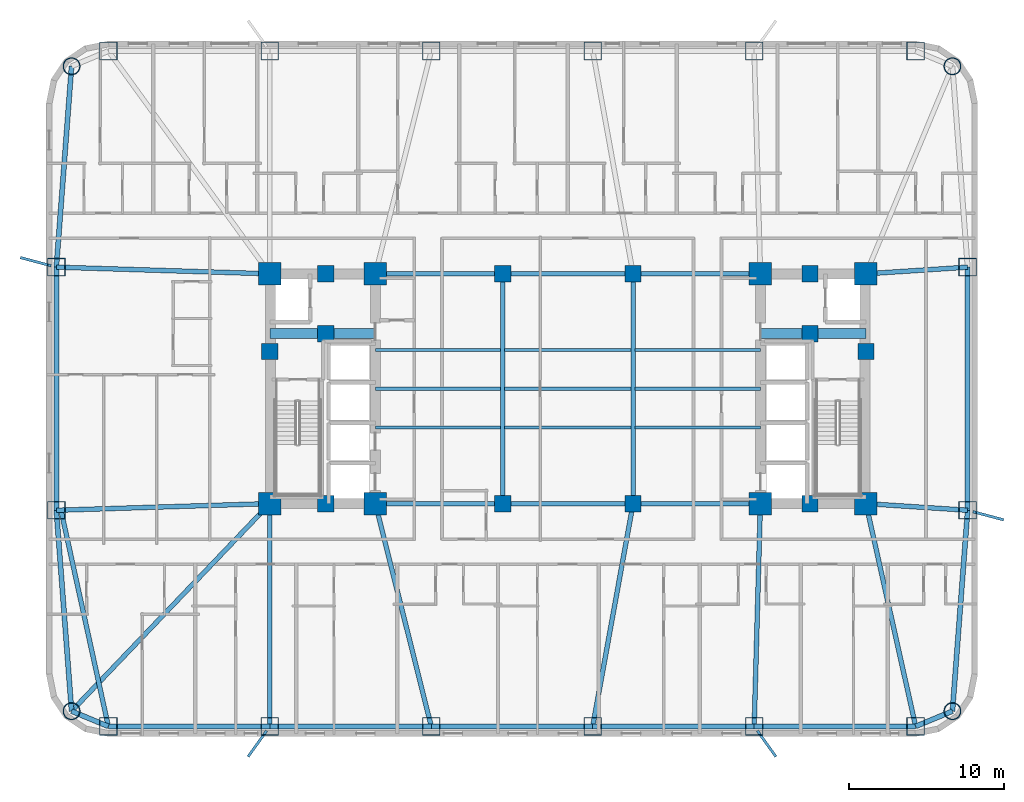
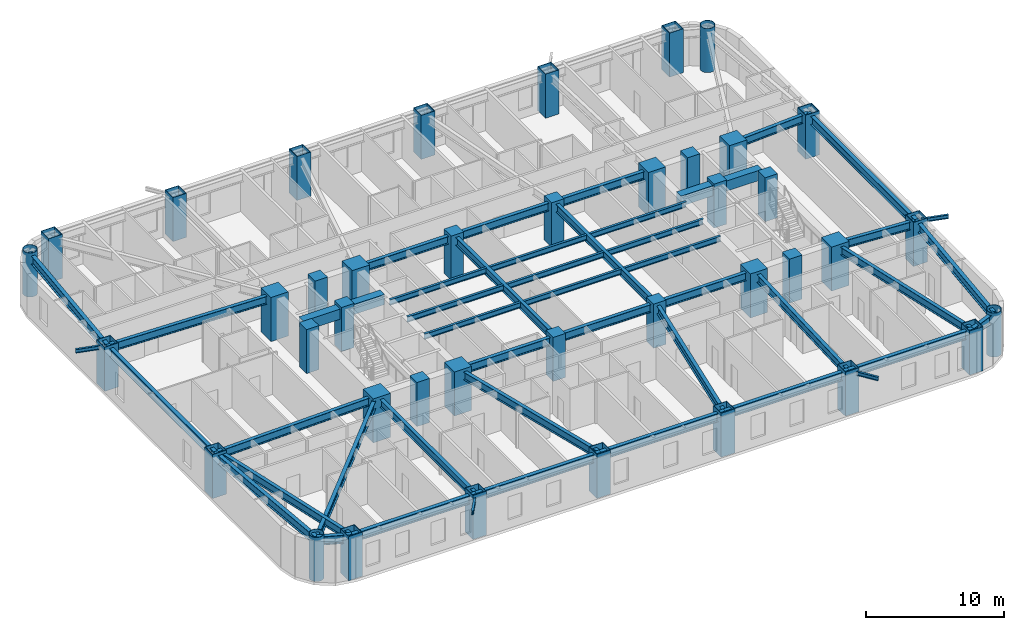
# One storey, part 1 of 11: 46 beams, 40 columns.
"""IFC4 building model written with IfcOpenShell, lengths in metres."""

from ifc_helpers import new_model, si_unit, direction, frame, origin, origin_2d, place, context, subcontext, project, spatial, rectangle, hollow_rectangle, hollow_circle, i_section, extrude, material, material_profile, profile_set, type_object, element, save


model = new_model("IFC4")

# Units and contexts
model_context = context("Model", 3, precision=1e-05, world=origin(), true_north=direction((0.0, 1.0)))
body_context = subcontext(model_context, "Body", "Model", "MODEL_VIEW")
ifc_project = project(units=[si_unit("LENGTHUNIT", "METRE"), si_unit("AREAUNIT", "SQUARE_METRE"), si_unit("VOLUMEUNIT", "CUBIC_METRE"), si_unit("PLANEANGLEUNIT", "RADIAN"), si_unit("MASSUNIT", "GRAM", prefix="KILO")], contexts=[model_context])

# Site, building, storey
site_placement = place(None, origin())
site = spatial("IfcSite", under=ifc_project, at=site_placement, CompositionType="ELEMENT")
building_placement = place(site_placement, origin())
building = spatial("IfcBuilding", under=site, at=building_placement, Name="Voryun Gate Residences", CompositionType="ELEMENT")
storey_placement = place(building_placement, frame((0.0, 0.0, 49.39990234375)))
storey = spatial("IfcBuildingStorey", under=building, at=storey_placement, Name="L11", CompositionType="ELEMENT", Elevation=49.39990234375)

# Columns
ifc_material_1 = material(Name="Concrete C50/60", Category="concrete")
ifc_material_profile_1 = material_profile(ifc_material_1, rectangle(XDim=1.050048828125, YDim=1.050048828125, at=origin_2d()), Name="RC-1050x1050")
ifc_profile_set_1 = profile_set([ifc_material_profile_1], Name="Concrete C50/60")
column_type_1 = type_object("IfcColumnType", Name="COL_CORE_1050", PredefinedType="COLUMN", material=ifc_profile_set_1)
for number, where, z_axis, x_axis, name in (
    (1, (-19.199951171875, 2.39990234375, 0.0), (0.0, 0.0, 1.0), (1.0, 0.0, 0.0), "L11 Core boundary column WC-MW"),
    (2, (-15.60009765625, -7.39990234375, 0.0), (0.0, 0.0, 1.0), (1.0, 0.0, 0.0), "L11 Core boundary column WC-SM"),
    (3, (-15.60009765625, 7.39990234375, 0.0), (0.0, 0.0, 1.0), (1.0, 0.0, 0.0), "L11 Core boundary column WC-NM"),
    (4, (-15.60009765625, 3.550048828125, 0.0), (0.0, 0.0, 1.0), (1.0, 0.0, 0.0), "L11 Core boundary column WC-MM"),
    (5, (15.60009765625, 3.550048828125, 0.0), (0.0, 0.0, 1.0), (1.0, 0.0, 0.0), "L11 Core boundary column EC-MM"),
    (6, (15.60009765625, -7.39990234375, 0.0), (0.0, 0.0, 1.0), (1.0, 0.0, 0.0), "L11 Core boundary column EC-SM"),
    (7, (15.60009765625, 7.39990234375, 0.0), (0.0, 0.0, 1.0), (1.0, 0.0, 0.0), "L11 Core boundary column EC-NM"),
    (8, (19.199951171875, 2.39990234375, 0.0), (0.0, 0.0, 1.0), (1.0, 0.0, 0.0), "L11 Core boundary column EC-ME"),
    (9, (-4.199951171875, -7.39990234375, 0.0), (0.0, 0.0, 1.0), (1.0, 0.0, 0.0), "L11 Interior spine column SP-WS"),
    (10, (-4.199951171875, 7.39990234375, 0.0), (0.0, 0.0, 1.0), (1.0, 0.0, 0.0), "L11 Interior spine column SP-WN"),
    (11, (4.199951171875, -7.39990234375, 0.0), (0.0, 0.0, 1.0), (1.0, 0.0, 0.0), "L11 Interior spine column SP-ES"),
    (12, (4.199951171875, 7.39990234375, 0.0), (0.0, 0.0, 1.0), (1.0, 0.0, 0.0), "L11 Interior spine column SP-EN"),
):
    element("IfcColumn", number, at=place(storey_placement, frame(where, z_axis=z_axis, x_axis=x_axis)), inside=storey, type_object=column_type_1, Name=name, PredefinedType="COLUMN", context=body_context, shape_type="SweptSolid", body=[
        extrude(rectangle(XDim=1.050048828125, YDim=1.050048828125, at=origin_2d()), origin(), (0.0, 0.0, 1.0), 3.900146484375),
    ])
ifc_material_2 = material(Name="Steel SM420", Category="steel")
ifc_material_profile_2 = material_profile(ifc_material_2, hollow_circle(Radius=0.550048828125, WallThickness=0.035888671875, at=origin_2d()), Name="CHS-1100x36")
ifc_profile_set_2 = profile_set([ifc_material_profile_2], Name="Steel SM420")
column_type_2 = type_object("IfcColumnType", Name="COL_CRN_1100", PredefinedType="COLUMN", material=ifc_profile_set_2)
for number, where, z_axis, x_axis, name in (
    (13, (24.768798828125, -20.768798828125, 0.0), (0.0, 0.0, 1.0), (1.0, 0.0, 0.0), "L11 Exoskeleton column CSE"),
    (14, (24.768798828125, 20.768798828125, 0.0), (0.0, 0.0, 1.0), (1.0, 0.0, 0.0), "L11 Exoskeleton column CNE"),
    (15, (-31.96875, 20.768798828125, 0.0), (0.0, 0.0, 1.0), (1.0, 0.0, 0.0), "L11 Exoskeleton column CNW"),
    (16, (-31.96875, -20.768798828125, 0.0), (0.0, 0.0, 1.0), (1.0, 0.0, 0.0), "L11 Exoskeleton column CSW"),
):
    element("IfcColumn", number, at=place(storey_placement, frame(where, z_axis=z_axis, x_axis=x_axis)), inside=storey, type_object=column_type_2, Name=name, PredefinedType="COLUMN", context=body_context, shape_type="SweptSolid", body=[
        extrude(hollow_circle(Radius=0.550048828125, WallThickness=0.035888671875, at=origin_2d()), origin(), (0.0, 0.0, 1.0), 3.900146484375),
    ])
ifc_material_3 = material(Name="Steel SM420", Category="steel")
ifc_material_profile_3 = material_profile(ifc_material_3, hollow_rectangle(XDim=1.14990234375, YDim=1.14990234375, WallThickness=0.0400390625, at=origin_2d()), Name="BOX-1150x1150x40")
ifc_profile_set_3 = profile_set([ifc_material_profile_3], Name="Steel SM420")
column_type_3 = type_object("IfcColumnType", Name="COL_EXO_B1", PredefinedType="COLUMN", material=ifc_profile_set_3)
for number, where, z_axis, x_axis, name in (
    (17, (-29.60009765625, -21.75, 0.0), (0.0, 0.0, 1.0), (1.0, 0.0, 0.0), "L11 Exoskeleton column S1"),
    (18, (-19.199951171875, -21.75, 0.0), (0.0, 0.0, 1.0), (1.0, 0.0, 0.0), "L11 Exoskeleton column S2"),
    (19, (-8.800048828125, -21.75, 0.0), (0.0, 0.0, 1.0), (1.0, 0.0, 0.0), "L11 Exoskeleton column S3"),
    (20, (1.60009765625, -21.75, 0.0), (0.0, 0.0, 1.0), (1.0, 0.0, 0.0), "L11 Exoskeleton column S4"),
    (21, (12.0, -21.75, 0.0), (0.0, 0.0, 1.0), (1.0, 0.0, 0.0), "L11 Exoskeleton column S5"),
    (22, (22.39990234375, -21.75, 0.0), (0.0, 0.0, 1.0), (1.0, 0.0, 0.0), "L11 Exoskeleton column S6"),
    (23, (25.75, -7.830078125, 0.0), (0.0, 0.0, 1.0), (1.0, 0.0, 0.0), "L11 Exoskeleton column E1"),
    (24, (25.75, 7.830078125, 0.0), (0.0, 0.0, 1.0), (1.0, 0.0, 0.0), "L11 Exoskeleton column E2"),
    (25, (22.39990234375, 21.75, 0.0), (0.0, 0.0, 1.0), (1.0, 0.0, 0.0), "L11 Exoskeleton column N1"),
    (26, (12.0, 21.75, 0.0), (0.0, 0.0, 1.0), (1.0, 0.0, 0.0), "L11 Exoskeleton column N2"),
    (27, (1.60009765625, 21.75, 0.0), (0.0, 0.0, 1.0), (1.0, 0.0, 0.0), "L11 Exoskeleton column N3"),
    (28, (-8.800048828125, 21.75, 0.0), (0.0, 0.0, 1.0), (1.0, 0.0, 0.0), "L11 Exoskeleton column N4"),
    (29, (-19.199951171875, 21.75, 0.0), (0.0, 0.0, 1.0), (1.0, 0.0, 0.0), "L11 Exoskeleton column N5"),
    (30, (-29.60009765625, 21.75, 0.0), (0.0, 0.0, 1.0), (1.0, 0.0, 0.0), "L11 Exoskeleton column N6"),
    (31, (-32.949951171875, 7.830078125, 0.0), (0.0, 0.0, 1.0), (1.0, 0.0, 0.0), "L11 Exoskeleton column W1"),
    (32, (-32.949951171875, -7.830078125, 0.0), (0.0, 0.0, 1.0), (1.0, 0.0, 0.0), "L11 Exoskeleton column W2"),
):
    element("IfcColumn", number, at=place(storey_placement, frame(where, z_axis=z_axis, x_axis=x_axis)), inside=storey, type_object=column_type_3, Name=name, PredefinedType="COLUMN", context=body_context, shape_type="SweptSolid", body=[
        extrude(hollow_rectangle(XDim=1.14990234375, YDim=1.14990234375, WallThickness=0.0400390625, at=origin_2d()), origin(), (0.0, 0.0, 1.0), 3.900146484375),
    ])
ifc_material_4 = material(Name="Concrete C60/75", Category="concrete")
ifc_material_profile_4 = material_profile(ifc_material_4, rectangle(XDim=1.449951171875, YDim=1.449951171875, at=origin_2d()), Name="RC-1450x1450")
ifc_profile_set_4 = profile_set([ifc_material_profile_4], Name="Concrete C60/75")
column_type_4 = type_object("IfcColumnType", Name="COL_MEGA_1450", PredefinedType="COLUMN", material=ifc_profile_set_4)
for number, where, z_axis, x_axis, name in (
    (33, (-19.199951171875, -7.39990234375, 0.0), (0.0, 0.0, 1.0), (1.0, 0.0, 0.0), "L11 Core boundary column WC-SW"),
    (34, (-19.199951171875, 7.39990234375, 0.0), (0.0, 0.0, 1.0), (1.0, 0.0, 0.0), "L11 Core boundary column WC-NW"),
    (35, (-12.39990234375, -7.39990234375, 0.0), (0.0, 0.0, 1.0), (1.0, 0.0, 0.0), "L11 Core boundary column WC-SE"),
    (36, (-12.39990234375, 7.39990234375, 0.0), (0.0, 0.0, 1.0), (1.0, 0.0, 0.0), "L11 Core boundary column WC-NE"),
    (37, (12.39990234375, -7.39990234375, 0.0), (0.0, 0.0, 1.0), (1.0, 0.0, 0.0), "L11 Core boundary column EC-SW"),
    (38, (12.39990234375, 7.39990234375, 0.0), (0.0, 0.0, 1.0), (1.0, 0.0, 0.0), "L11 Core boundary column EC-NW"),
    (39, (19.199951171875, -7.39990234375, 0.0), (0.0, 0.0, 1.0), (1.0, 0.0, 0.0), "L11 Core boundary column EC-SE"),
    (40, (19.199951171875, 7.39990234375, 0.0), (0.0, 0.0, 1.0), (1.0, 0.0, 0.0), "L11 Core boundary column EC-NE"),
):
    element("IfcColumn", number, at=place(storey_placement, frame(where, z_axis=z_axis, x_axis=x_axis)), inside=storey, type_object=column_type_4, Name=name, PredefinedType="COLUMN", context=body_context, shape_type="SweptSolid", body=[
        extrude(rectangle(XDim=1.449951171875, YDim=1.449951171875, at=origin_2d()), origin(), (0.0, 0.0, 1.0), 3.900146484375),
    ])

# Beams
ifc_material_5 = material(Name="Steel SM355", Category="steel")
ifc_material_profile_5 = material_profile(ifc_material_5, i_section(OverallWidth=0.169921875, OverallDepth=0.340087890625, WebThickness=0.008056640625, FlangeThickness=0.013916015625, FilletRadius=0.01806640625, at=origin_2d()), Name="H-340x170x8x14")
ifc_profile_set_5 = profile_set([ifc_material_profile_5], Name="Steel SM355")
beam_type_1 = type_object("IfcBeamType", Name="BM_BALC_EDGE", PredefinedType="JOIST", material=ifc_profile_set_5)
beam_1_placement = place(storey_placement, frame((-19.404052734375, -22.034423828125, 3.47998046875), z_axis=(-0.582848047974, -0.812581167006, 0.0), x_axis=(0.812581167006, -0.582848047974, 0.0)))
element("IfcBeam", 41, at=beam_1_placement, inside=storey, type_object=beam_type_1, Name="BM-L11-BALBRK-S2", PredefinedType="JOIST", context=body_context, shape_type="SweptSolid", body=[
    extrude(i_section(OverallWidth=0.169921875, OverallDepth=0.340087890625, WebThickness=0.008056640625, FlangeThickness=0.013916015625, FilletRadius=0.01806640625, at=origin_2d()), origin(), (0.0, 0.0, 1.0), 2.050048828125),
])
beam_2_placement = place(storey_placement, frame((12.2041015625, -22.034423828125, 3.47998046875), z_axis=(0.582769403157, -0.81263757158, 0.0), x_axis=(0.81263757158, 0.582769403157, 0.0)))
element("IfcBeam", 42, at=beam_2_placement, inside=storey, type_object=beam_type_1, Name="BM-L11-BALBRK-S5", PredefinedType="JOIST", context=body_context, shape_type="SweptSolid", body=[
    extrude(i_section(OverallWidth=0.169921875, OverallDepth=0.340087890625, WebThickness=0.008056640625, FlangeThickness=0.013916015625, FilletRadius=0.01806640625, at=origin_2d()), origin(), (0.0, 0.0, 1.0), 2.0498046875),
])
for number, where, z_axis, x_axis, name in (
    (43, (26.088134765625, -7.920166015625, 3.47998046875), (0.96618946224, -0.257833130254, 0.0), (0.257833130254, 0.96618946224, 0.0), "BM-L11-BALBRK-E1"),
    (44, (-33.2880859375, 7.920166015625, 3.47998046875), (-0.96618946224, 0.257833130254, 0.0), (-0.257833130254, -0.96618946224, 0.0), "BM-L11-BALBRK-W1"),
):
    element("IfcBeam", number, at=place(storey_placement, frame(where, z_axis=z_axis, x_axis=x_axis)), inside=storey, type_object=beam_type_1, Name=name, PredefinedType="JOIST", context=body_context, shape_type="SweptSolid", body=[
        extrude(i_section(OverallWidth=0.169921875, OverallDepth=0.340087890625, WebThickness=0.008056640625, FlangeThickness=0.013916015625, FilletRadius=0.01806640625, at=origin_2d()), origin(), (0.0, 0.0, 1.0), 2.050048828125),
    ])
ifc_material_6 = material(Name="Concrete C60/75", Category="concrete")
ifc_material_profile_6 = material_profile(ifc_material_6, rectangle(XDim=0.64990234375, YDim=0.89990234375, at=origin_2d()), Name="RC-650x900")
ifc_profile_set_6 = profile_set([ifc_material_profile_6], Name="Concrete C60/75")
beam_type_2 = type_object("IfcBeamType", Name="BM_COUP_RC900", PredefinedType="LINTEL", material=ifc_profile_set_6)
for number, where, z_axis, x_axis, name in (
    (45, (-19.199951171875, 3.550048828125, 3.2001953125), (1.0, 0.0, 0.0), (0.0, 1.0, 0.0), "BM-L11-WC1"),
    (46, (12.39990234375, 3.550048828125, 3.2001953125), (1.0, 0.0, 0.0), (0.0, 1.0, 0.0), "BM-L11-EC1"),
):
    element("IfcBeam", number, at=place(storey_placement, frame(where, z_axis=z_axis, x_axis=x_axis)), inside=storey, type_object=beam_type_2, Name=name, PredefinedType="LINTEL", context=body_context, shape_type="SweptSolid", body=[
        extrude(rectangle(XDim=0.64990234375, YDim=0.89990234375, at=origin_2d()), origin(), (0.0, 0.0, 1.0), 6.800048828125),
    ])
ifc_material_7 = material(Name="Steel SM355", Category="steel")
ifc_material_profile_7 = material_profile(ifc_material_7, i_section(OverallWidth=0.320068359375, OverallDepth=0.75, WebThickness=0.01611328125, FlangeThickness=0.028076171875, FilletRadius=0.01806640625, at=origin_2d()), Name="H-750x320x16x28")
ifc_profile_set_7 = profile_set([ifc_material_profile_7], Name="Steel SM355")
beam_type_3 = type_object("IfcBeamType", Name="BM_EXO_SPANDREL_L", PredefinedType="SPANDREL", material=ifc_profile_set_7)
beam_3_placement = place(storey_placement, frame((-29.60009765625, -21.75, 3.275146484375), z_axis=(1.0, 0.0, 0.0), x_axis=(0.0, 1.0, 0.0)))
element("IfcBeam", 47, at=beam_3_placement, inside=storey, type_object=beam_type_3, Name="BM-L11-SPAND-01", PredefinedType="SPANDREL", context=body_context, shape_type="SweptSolid", body=[
    extrude(i_section(OverallWidth=0.320068359375, OverallDepth=0.75, WebThickness=0.01611328125, FlangeThickness=0.028076171875, FilletRadius=0.01806640625, at=origin_2d()), origin(), (0.0, 0.0, 1.0), 10.400146484375),
])
beam_4_placement = place(storey_placement, frame((-19.199951171875, -21.75, 3.275146484375), z_axis=(1.0, 0.0, 0.0), x_axis=(0.0, 1.0, 0.0)))
element("IfcBeam", 48, at=beam_4_placement, inside=storey, type_object=beam_type_3, Name="BM-L11-SPAND-02", PredefinedType="SPANDREL", context=body_context, shape_type="SweptSolid", body=[
    extrude(i_section(OverallWidth=0.320068359375, OverallDepth=0.75, WebThickness=0.01611328125, FlangeThickness=0.028076171875, FilletRadius=0.01806640625, at=origin_2d()), origin(), (0.0, 0.0, 1.0), 10.39990234375),
])
beam_5_placement = place(storey_placement, frame((-8.800048828125, -21.75, 3.275146484375), z_axis=(1.0, 0.0, 0.0), x_axis=(0.0, 1.0, 0.0)))
element("IfcBeam", 49, at=beam_5_placement, inside=storey, type_object=beam_type_3, Name="BM-L11-SPAND-03", PredefinedType="SPANDREL", context=body_context, shape_type="SweptSolid", body=[
    extrude(i_section(OverallWidth=0.320068359375, OverallDepth=0.75, WebThickness=0.01611328125, FlangeThickness=0.028076171875, FilletRadius=0.01806640625, at=origin_2d()), origin(), (0.0, 0.0, 1.0), 10.400146484375),
])
for number, where, z_axis, x_axis, name in (
    (50, (1.60009765625, -21.75, 3.275146484375), (1.0, 0.0, 0.0), (0.0, 1.0, 0.0), "BM-L11-SPAND-04"),
    (51, (12.0, -21.75, 3.275146484375), (1.0, 0.0, 0.0), (0.0, 1.0, 0.0), "BM-L11-SPAND-05"),
):
    element("IfcBeam", number, at=place(storey_placement, frame(where, z_axis=z_axis, x_axis=x_axis)), inside=storey, type_object=beam_type_3, Name=name, PredefinedType="SPANDREL", context=body_context, shape_type="SweptSolid", body=[
        extrude(i_section(OverallWidth=0.320068359375, OverallDepth=0.75, WebThickness=0.01611328125, FlangeThickness=0.028076171875, FilletRadius=0.01806640625, at=origin_2d()), origin(), (0.0, 0.0, 1.0), 10.39990234375),
    ])
beam_6_placement = place(storey_placement, frame((22.39990234375, -21.75, 3.275146484375), z_axis=(0.923883376753, 0.382674151414, 0.0), x_axis=(-0.382674151414, 0.923883376753, 0.0)))
element("IfcBeam", 52, at=beam_6_placement, inside=storey, type_object=beam_type_3, Name="BM-L11-SPAND-06", PredefinedType="SPANDREL", context=body_context, shape_type="SweptSolid", body=[
    extrude(i_section(OverallWidth=0.320068359375, OverallDepth=0.75, WebThickness=0.01611328125, FlangeThickness=0.028076171875, FilletRadius=0.01806640625, at=origin_2d()), origin(), (0.0, 0.0, 1.0), 2.56396484375),
])
beam_7_placement = place(storey_placement, frame((24.768798828125, -20.768798828125, 3.275146484375), z_axis=(0.075617360159, 0.997136908776, 0.0), x_axis=(-0.997136908776, 0.075617360159, 0.0)))
element("IfcBeam", 53, at=beam_7_placement, inside=storey, type_object=beam_type_3, Name="BM-L11-SPAND-07", PredefinedType="SPANDREL", context=body_context, shape_type="SweptSolid", body=[
    extrude(i_section(OverallWidth=0.320068359375, OverallDepth=0.75, WebThickness=0.01611328125, FlangeThickness=0.028076171875, FilletRadius=0.01806640625, at=origin_2d()), origin(), (0.0, 0.0, 1.0), 12.975830078125),
])
beam_8_placement = place(storey_placement, frame((25.75, -7.830078125, 3.275146484375), z_axis=(0.0, 1.0, 0.0), x_axis=(-1.0, 0.0, 0.0)))
element("IfcBeam", 54, at=beam_8_placement, inside=storey, type_object=beam_type_3, Name="BM-L11-SPAND-08", PredefinedType="SPANDREL", context=body_context, shape_type="SweptSolid", body=[
    extrude(i_section(OverallWidth=0.320068359375, OverallDepth=0.75, WebThickness=0.01611328125, FlangeThickness=0.028076171875, FilletRadius=0.01806640625, at=origin_2d()), origin(), (0.0, 0.0, 1.0), 15.66015625),
])
beam_9_placement = place(storey_placement, frame((-31.96875, 20.768798828125, 3.275146484375), z_axis=(-0.075617360159, -0.997136908776, 0.0), x_axis=(0.997136908776, -0.075617360159, 0.0)))
element("IfcBeam", 55, at=beam_9_placement, inside=storey, type_object=beam_type_3, Name="BM-L11-SPAND-17", PredefinedType="SPANDREL", context=body_context, shape_type="SweptSolid", body=[
    extrude(i_section(OverallWidth=0.320068359375, OverallDepth=0.75, WebThickness=0.01611328125, FlangeThickness=0.028076171875, FilletRadius=0.01806640625, at=origin_2d()), origin(), (0.0, 0.0, 1.0), 12.975830078125),
])
beam_10_placement = place(storey_placement, frame((-32.949951171875, 7.830078125, 3.275146484375), z_axis=(0.0, -1.0, 0.0), x_axis=(1.0, 0.0, 0.0)))
element("IfcBeam", 56, at=beam_10_placement, inside=storey, type_object=beam_type_3, Name="BM-L11-SPAND-18", PredefinedType="SPANDREL", context=body_context, shape_type="SweptSolid", body=[
    extrude(i_section(OverallWidth=0.320068359375, OverallDepth=0.75, WebThickness=0.01611328125, FlangeThickness=0.028076171875, FilletRadius=0.01806640625, at=origin_2d()), origin(), (0.0, 0.0, 1.0), 15.66015625),
])
beam_11_placement = place(storey_placement, frame((-32.949951171875, -7.830078125, 3.275146484375), z_axis=(0.075617360159, -0.997136908776, 0.0), x_axis=(0.997136908776, 0.075617360159, 0.0)))
element("IfcBeam", 57, at=beam_11_placement, inside=storey, type_object=beam_type_3, Name="BM-L11-SPAND-19", PredefinedType="SPANDREL", context=body_context, shape_type="SweptSolid", body=[
    extrude(i_section(OverallWidth=0.320068359375, OverallDepth=0.75, WebThickness=0.01611328125, FlangeThickness=0.028076171875, FilletRadius=0.01806640625, at=origin_2d()), origin(), (0.0, 0.0, 1.0), 12.975830078125),
])
beam_12_placement = place(storey_placement, frame((-31.96875, -20.768798828125, 3.275146484375), z_axis=(0.92386943149, -0.382707817477, 0.0), x_axis=(0.382707817477, 0.92386943149, 0.0)))
element("IfcBeam", 58, at=beam_12_placement, inside=storey, type_object=beam_type_3, Name="BM-L11-SPAND-20", PredefinedType="SPANDREL", context=body_context, shape_type="SweptSolid", body=[
    extrude(i_section(OverallWidth=0.320068359375, OverallDepth=0.75, WebThickness=0.01611328125, FlangeThickness=0.028076171875, FilletRadius=0.01806640625, at=origin_2d()), origin(), (0.0, 0.0, 1.0), 2.563720703125),
])
ifc_material_8 = material(Name="Steel SM355", Category="steel")
ifc_material_profile_8 = material_profile(ifc_material_8, i_section(OverallWidth=0.300048828125, OverallDepth=0.699951171875, WebThickness=0.012939453125, FlangeThickness=0.02392578125, FilletRadius=0.01806640625, at=origin_2d()), Name="H-700x300x13x24")
ifc_profile_set_8 = profile_set([ifc_material_profile_8], Name="Steel SM355")
beam_type_4 = type_object("IfcBeamType", Name="BM_GIRD_700", PredefinedType="USERDEFINED", material=ifc_profile_set_8)
beam_13_placement = place(storey_placement, frame((-12.39990234375, -7.39990234375, 3.300048828125), z_axis=(1.0, 0.0, 0.0), x_axis=(0.0, 1.0, 0.0)))
element("IfcBeam", 59, at=beam_13_placement, inside=storey, type_object=beam_type_4, Name="BM-L11-SPG1-S", ObjectType="GIRDER", PredefinedType="USERDEFINED", context=body_context, shape_type="SweptSolid", body=[
    extrude(i_section(OverallWidth=0.300048828125, OverallDepth=0.699951171875, WebThickness=0.012939453125, FlangeThickness=0.02392578125, FilletRadius=0.01806640625, at=origin_2d()), origin(), (0.0, 0.0, 1.0), 8.199951171875),
])
beam_14_placement = place(storey_placement, frame((-4.199951171875, -7.39990234375, 3.300048828125), z_axis=(1.0, 0.0, 0.0), x_axis=(0.0, 1.0, 0.0)))
element("IfcBeam", 60, at=beam_14_placement, inside=storey, type_object=beam_type_4, Name="BM-L11-SPG2-S", ObjectType="GIRDER", PredefinedType="USERDEFINED", context=body_context, shape_type="SweptSolid", body=[
    extrude(i_section(OverallWidth=0.300048828125, OverallDepth=0.699951171875, WebThickness=0.012939453125, FlangeThickness=0.02392578125, FilletRadius=0.01806640625, at=origin_2d()), origin(), (0.0, 0.0, 1.0), 8.39990234375),
])
for number, where, z_axis, x_axis, name in (
    (61, (4.199951171875, -7.39990234375, 3.300048828125), (1.0, 0.0, 0.0), (0.0, 1.0, 0.0), "BM-L11-SPG3-S"),
    (62, (-12.39990234375, 7.39990234375, 3.300048828125), (1.0, 0.0, 0.0), (0.0, 1.0, 0.0), "BM-L11-SPG1-N"),
):
    element("IfcBeam", number, at=place(storey_placement, frame(where, z_axis=z_axis, x_axis=x_axis)), inside=storey, type_object=beam_type_4, Name=name, ObjectType="GIRDER", PredefinedType="USERDEFINED", context=body_context, shape_type="SweptSolid", body=[
        extrude(i_section(OverallWidth=0.300048828125, OverallDepth=0.699951171875, WebThickness=0.012939453125, FlangeThickness=0.02392578125, FilletRadius=0.01806640625, at=origin_2d()), origin(), (0.0, 0.0, 1.0), 8.199951171875),
    ])
beam_15_placement = place(storey_placement, frame((-4.199951171875, 7.39990234375, 3.300048828125), z_axis=(1.0, 0.0, 0.0), x_axis=(0.0, 1.0, 0.0)))
element("IfcBeam", 63, at=beam_15_placement, inside=storey, type_object=beam_type_4, Name="BM-L11-SPG2-N", ObjectType="GIRDER", PredefinedType="USERDEFINED", context=body_context, shape_type="SweptSolid", body=[
    extrude(i_section(OverallWidth=0.300048828125, OverallDepth=0.699951171875, WebThickness=0.012939453125, FlangeThickness=0.02392578125, FilletRadius=0.01806640625, at=origin_2d()), origin(), (0.0, 0.0, 1.0), 8.39990234375),
])
beam_16_placement = place(storey_placement, frame((4.199951171875, 7.39990234375, 3.300048828125), z_axis=(1.0, 0.0, 0.0), x_axis=(0.0, 1.0, 0.0)))
element("IfcBeam", 64, at=beam_16_placement, inside=storey, type_object=beam_type_4, Name="BM-L11-SPG3-N", ObjectType="GIRDER", PredefinedType="USERDEFINED", context=body_context, shape_type="SweptSolid", body=[
    extrude(i_section(OverallWidth=0.300048828125, OverallDepth=0.699951171875, WebThickness=0.012939453125, FlangeThickness=0.02392578125, FilletRadius=0.01806640625, at=origin_2d()), origin(), (0.0, 0.0, 1.0), 8.199951171875),
])
for number, where, z_axis, x_axis, name in (
    (65, (-4.199951171875, -7.39990234375, 3.300048828125), (0.0, 1.0, 0.0), (-1.0, 0.0, 0.0), "BM-L11-SPX-W"),
    (66, (4.199951171875, -7.39990234375, 3.300048828125), (0.0, 1.0, 0.0), (-1.0, 0.0, 0.0), "BM-L11-SPX-E"),
):
    element("IfcBeam", number, at=place(storey_placement, frame(where, z_axis=z_axis, x_axis=x_axis)), inside=storey, type_object=beam_type_4, Name=name, ObjectType="GIRDER", PredefinedType="USERDEFINED", context=body_context, shape_type="SweptSolid", body=[
        extrude(i_section(OverallWidth=0.300048828125, OverallDepth=0.699951171875, WebThickness=0.012939453125, FlangeThickness=0.02392578125, FilletRadius=0.01806640625, at=origin_2d()), origin(), (0.0, 0.0, 1.0), 14.7998046875),
    ])
beam_17_placement = place(storey_placement, frame((-32.64990234375, -7.830078125, 3.300048828125), z_axis=(0.214019782918, -0.976829326198, 0.0), x_axis=(0.976829326198, 0.214019782918, 0.0)))
element("IfcBeam", 67, at=beam_17_placement, inside=storey, type_object=beam_type_4, Name="BM-L11-RAD-S1", ObjectType="GIRDER", PredefinedType="USERDEFINED", context=body_context, shape_type="SweptSolid", body=[
    extrude(i_section(OverallWidth=0.300048828125, OverallDepth=0.699951171875, WebThickness=0.012939453125, FlangeThickness=0.02392578125, FilletRadius=0.01806640625, at=origin_2d()), origin(), (0.0, 0.0, 1.0), 14.25),
])
beam_18_placement = place(storey_placement, frame((-19.199951171875, -7.39990234375, 3.300048828125), z_axis=(0.0, -1.0, 0.0), x_axis=(1.0, 0.0, 0.0)))
element("IfcBeam", 68, at=beam_18_placement, inside=storey, type_object=beam_type_4, Name="BM-L11-RAD-S2", ObjectType="GIRDER", PredefinedType="USERDEFINED", context=body_context, shape_type="SweptSolid", body=[
    extrude(i_section(OverallWidth=0.300048828125, OverallDepth=0.699951171875, WebThickness=0.012939453125, FlangeThickness=0.02392578125, FilletRadius=0.01806640625, at=origin_2d()), origin(), (0.0, 0.0, 1.0), 14.35009765625),
])
beam_19_placement = place(storey_placement, frame((-12.39990234375, -7.39990234375, 3.300048828125), z_axis=(0.243319869291, -0.969946102218, 0.0), x_axis=(0.969946102218, 0.243319869291, 0.0)))
element("IfcBeam", 69, at=beam_19_placement, inside=storey, type_object=beam_type_4, Name="BM-L11-RAD-S3", ObjectType="GIRDER", PredefinedType="USERDEFINED", context=body_context, shape_type="SweptSolid", body=[
    extrude(i_section(OverallWidth=0.300048828125, OverallDepth=0.699951171875, WebThickness=0.012939453125, FlangeThickness=0.02392578125, FilletRadius=0.01806640625, at=origin_2d()), origin(), (0.0, 0.0, 1.0), 14.794677734375),
])
beam_20_placement = place(storey_placement, frame((4.199951171875, -7.39990234375, 3.300048828125), z_axis=(-0.178271088758, -0.983981411874, 0.0), x_axis=(0.983981411874, -0.178271088758, 0.0)))
element("IfcBeam", 70, at=beam_20_placement, inside=storey, type_object=beam_type_4, Name="BM-L11-RAD-S4", ObjectType="GIRDER", PredefinedType="USERDEFINED", context=body_context, shape_type="SweptSolid", body=[
    extrude(i_section(OverallWidth=0.300048828125, OverallDepth=0.699951171875, WebThickness=0.012939453125, FlangeThickness=0.02392578125, FilletRadius=0.01806640625, at=origin_2d()), origin(), (0.0, 0.0, 1.0), 14.583740234375),
])
beam_21_placement = place(storey_placement, frame((12.39990234375, -7.39990234375, 3.300048828125), z_axis=(-0.0278567548, -0.999611925305, 0.0), x_axis=(0.999611925305, -0.0278567548, 0.0)))
element("IfcBeam", 71, at=beam_21_placement, inside=storey, type_object=beam_type_4, Name="BM-L11-RAD-S5", ObjectType="GIRDER", PredefinedType="USERDEFINED", context=body_context, shape_type="SweptSolid", body=[
    extrude(i_section(OverallWidth=0.300048828125, OverallDepth=0.699951171875, WebThickness=0.012939453125, FlangeThickness=0.02392578125, FilletRadius=0.01806640625, at=origin_2d()), origin(), (0.0, 0.0, 1.0), 14.355712890625),
])
beam_22_placement = place(storey_placement, frame((19.199951171875, -7.39990234375, 3.300048828125), z_axis=(0.217645991352, -0.976027777498, 0.0), x_axis=(0.976027777498, 0.217645991352, 0.0)))
element("IfcBeam", 72, at=beam_22_placement, inside=storey, type_object=beam_type_4, Name="BM-L11-RAD-S6", ObjectType="GIRDER", PredefinedType="USERDEFINED", context=body_context, shape_type="SweptSolid", body=[
    extrude(i_section(OverallWidth=0.300048828125, OverallDepth=0.699951171875, WebThickness=0.012939453125, FlangeThickness=0.02392578125, FilletRadius=0.01806640625, at=origin_2d()), origin(), (0.0, 0.0, 1.0), 14.70263671875),
])
for number, where, z_axis, x_axis, name in (
    (73, (19.199951171875, -7.39990234375, 3.300048828125), (0.997850335415, -0.06553402255, 0.0), (0.06553402255, 0.997850335415, 0.0), "BM-L11-RAD-E1"),
    (74, (19.199951171875, 7.39990234375, 3.300048828125), (0.997850335415, 0.06553402255, 0.0), (-0.06553402255, 0.997850335415, 0.0), "BM-L11-RAD-E2"),
):
    element("IfcBeam", number, at=place(storey_placement, frame(where, z_axis=z_axis, x_axis=x_axis)), inside=storey, type_object=beam_type_4, Name=name, ObjectType="GIRDER", PredefinedType="USERDEFINED", context=body_context, shape_type="SweptSolid", body=[
        extrude(i_section(OverallWidth=0.300048828125, OverallDepth=0.699951171875, WebThickness=0.012939453125, FlangeThickness=0.02392578125, FilletRadius=0.01806640625, at=origin_2d()), origin(), (0.0, 0.0, 1.0), 6.564208984375),
    ])
for number, where, z_axis, x_axis, name in (
    (75, (-19.199951171875, 7.39990234375, 3.300048828125), (-0.999510967353, 0.031270211727, 0.0), (-0.031270211727, -0.999510967353, 0.0), "BM-L11-RAD-W1"),
    (76, (-19.199951171875, -7.39990234375, 3.300048828125), (-0.999510967353, -0.031270211727, 0.0), (0.031270211727, -0.999510967353, 0.0), "BM-L11-RAD-W2"),
):
    element("IfcBeam", number, at=place(storey_placement, frame(where, z_axis=z_axis, x_axis=x_axis)), inside=storey, type_object=beam_type_4, Name=name, ObjectType="GIRDER", PredefinedType="USERDEFINED", context=body_context, shape_type="SweptSolid", body=[
        extrude(i_section(OverallWidth=0.300048828125, OverallDepth=0.699951171875, WebThickness=0.012939453125, FlangeThickness=0.02392578125, FilletRadius=0.01806640625, at=origin_2d()), origin(), (0.0, 0.0, 1.0), 13.7568359375),
    ])
beam_23_placement = place(storey_placement, frame((-19.199951171875, -7.39990234375, 3.300048828125), z_axis=(-0.69069023987, -0.723150739852, 0.0), x_axis=(0.723150739852, -0.69069023987, 0.0)))
element("IfcBeam", 77, at=beam_23_placement, inside=storey, type_object=beam_type_4, Name="BM-L11-RAD-CSW", ObjectType="GIRDER", PredefinedType="USERDEFINED", context=body_context, shape_type="SweptSolid", body=[
    extrude(i_section(OverallWidth=0.300048828125, OverallDepth=0.699951171875, WebThickness=0.012939453125, FlangeThickness=0.02392578125, FilletRadius=0.01806640625, at=origin_2d()), origin(), (0.0, 0.0, 1.0), 18.487060546875),
])
ifc_material_9 = material(Name="Steel SM355", Category="steel")
ifc_material_profile_9 = material_profile(ifc_material_9, i_section(OverallWidth=0.199951171875, OverallDepth=0.47998046875, WebThickness=0.010009765625, FlangeThickness=0.01806640625, FilletRadius=0.01806640625, at=origin_2d()), Name="H-480x200x10x18")
ifc_profile_set_9 = profile_set([ifc_material_profile_9], Name="Steel SM355")
beam_type_5 = type_object("IfcBeamType", Name="BM_SEC_480", PredefinedType="BEAM", material=ifc_profile_set_9)
beam_24_placement = place(storey_placement, frame((-12.39990234375, -2.5, 3.41015625), z_axis=(1.0, 0.0, 0.0), x_axis=(0.0, 1.0, 0.0)))
element("IfcBeam", 78, at=beam_24_placement, inside=storey, type_object=beam_type_5, Name="BM-L11-SEC-CS1", PredefinedType="BEAM", context=body_context, shape_type="SweptSolid", body=[
    extrude(i_section(OverallWidth=0.199951171875, OverallDepth=0.47998046875, WebThickness=0.010009765625, FlangeThickness=0.01806640625, FilletRadius=0.01806640625, at=origin_2d()), origin(), (0.0, 0.0, 1.0), 8.074951171875),
])
beam_25_placement = place(storey_placement, frame((-4.074951171875, -2.5, 3.41015625), z_axis=(1.0, 0.0, 0.0), x_axis=(0.0, 1.0, 0.0)))
element("IfcBeam", 79, at=beam_25_placement, inside=storey, type_object=beam_type_5, Name="BM-L11-SEC-CS2", PredefinedType="BEAM", context=body_context, shape_type="SweptSolid", body=[
    extrude(i_section(OverallWidth=0.199951171875, OverallDepth=0.47998046875, WebThickness=0.010009765625, FlangeThickness=0.01806640625, FilletRadius=0.01806640625, at=origin_2d()), origin(), (0.0, 0.0, 1.0), 8.14990234375),
])
for number, where, z_axis, x_axis, name in (
    (80, (4.324951171875, -2.5, 3.41015625), (1.0, 0.0, 0.0), (0.0, 1.0, 0.0), "BM-L11-SEC-CS3"),
    (81, (-12.39990234375, 0.0, 3.41015625), (1.0, 0.0, 0.0), (0.0, 1.0, 0.0), "BM-L11-SEC-CM1"),
):
    element("IfcBeam", number, at=place(storey_placement, frame(where, z_axis=z_axis, x_axis=x_axis)), inside=storey, type_object=beam_type_5, Name=name, PredefinedType="BEAM", context=body_context, shape_type="SweptSolid", body=[
        extrude(i_section(OverallWidth=0.199951171875, OverallDepth=0.47998046875, WebThickness=0.010009765625, FlangeThickness=0.01806640625, FilletRadius=0.01806640625, at=origin_2d()), origin(), (0.0, 0.0, 1.0), 8.074951171875),
    ])
beam_26_placement = place(storey_placement, frame((-4.074951171875, 0.0, 3.41015625), z_axis=(1.0, 0.0, 0.0), x_axis=(0.0, 1.0, 0.0)))
element("IfcBeam", 82, at=beam_26_placement, inside=storey, type_object=beam_type_5, Name="BM-L11-SEC-CM2", PredefinedType="BEAM", context=body_context, shape_type="SweptSolid", body=[
    extrude(i_section(OverallWidth=0.199951171875, OverallDepth=0.47998046875, WebThickness=0.010009765625, FlangeThickness=0.01806640625, FilletRadius=0.01806640625, at=origin_2d()), origin(), (0.0, 0.0, 1.0), 8.14990234375),
])
for number, where, z_axis, x_axis, name in (
    (83, (4.324951171875, 0.0, 3.41015625), (1.0, 0.0, 0.0), (0.0, 1.0, 0.0), "BM-L11-SEC-CM3"),
    (84, (-12.39990234375, 2.5, 3.41015625), (1.0, 0.0, 0.0), (0.0, 1.0, 0.0), "BM-L11-SEC-CN1"),
):
    element("IfcBeam", number, at=place(storey_placement, frame(where, z_axis=z_axis, x_axis=x_axis)), inside=storey, type_object=beam_type_5, Name=name, PredefinedType="BEAM", context=body_context, shape_type="SweptSolid", body=[
        extrude(i_section(OverallWidth=0.199951171875, OverallDepth=0.47998046875, WebThickness=0.010009765625, FlangeThickness=0.01806640625, FilletRadius=0.01806640625, at=origin_2d()), origin(), (0.0, 0.0, 1.0), 8.074951171875),
    ])
beam_27_placement = place(storey_placement, frame((-4.074951171875, 2.5, 3.41015625), z_axis=(1.0, 0.0, 0.0), x_axis=(0.0, 1.0, 0.0)))
element("IfcBeam", 85, at=beam_27_placement, inside=storey, type_object=beam_type_5, Name="BM-L11-SEC-CN2", PredefinedType="BEAM", context=body_context, shape_type="SweptSolid", body=[
    extrude(i_section(OverallWidth=0.199951171875, OverallDepth=0.47998046875, WebThickness=0.010009765625, FlangeThickness=0.01806640625, FilletRadius=0.01806640625, at=origin_2d()), origin(), (0.0, 0.0, 1.0), 8.14990234375),
])
beam_28_placement = place(storey_placement, frame((4.324951171875, 2.5, 3.41015625), z_axis=(1.0, 0.0, 0.0), x_axis=(0.0, 1.0, 0.0)))
element("IfcBeam", 86, at=beam_28_placement, inside=storey, type_object=beam_type_5, Name="BM-L11-SEC-CN3", PredefinedType="BEAM", context=body_context, shape_type="SweptSolid", body=[
    extrude(i_section(OverallWidth=0.199951171875, OverallDepth=0.47998046875, WebThickness=0.010009765625, FlangeThickness=0.01806640625, FilletRadius=0.01806640625, at=origin_2d()), origin(), (0.0, 0.0, 1.0), 8.074951171875),
])

save(model, "model.ifc")
